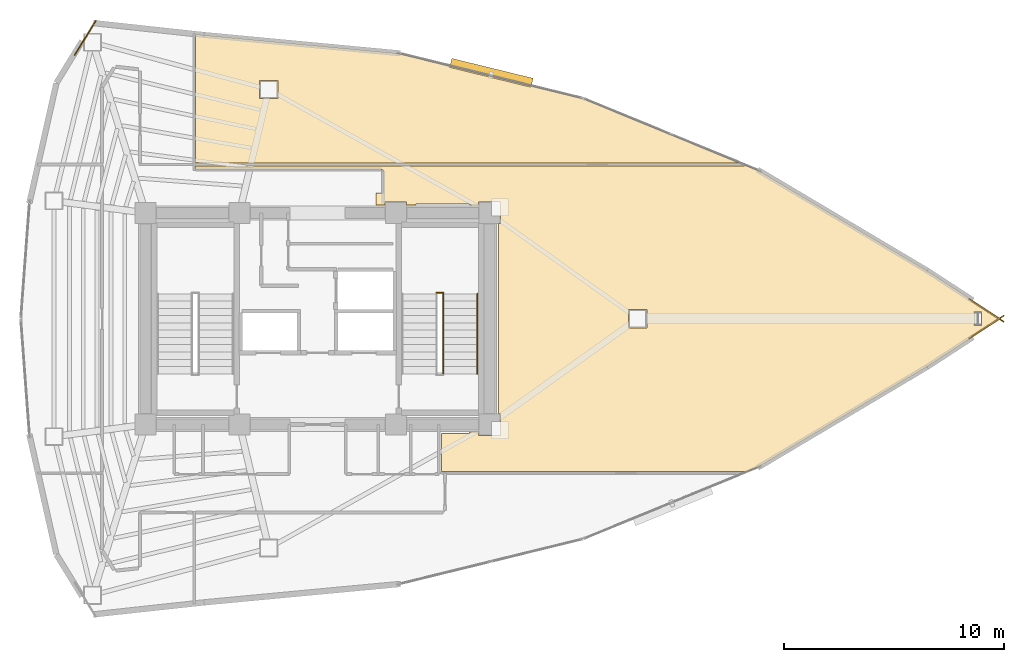
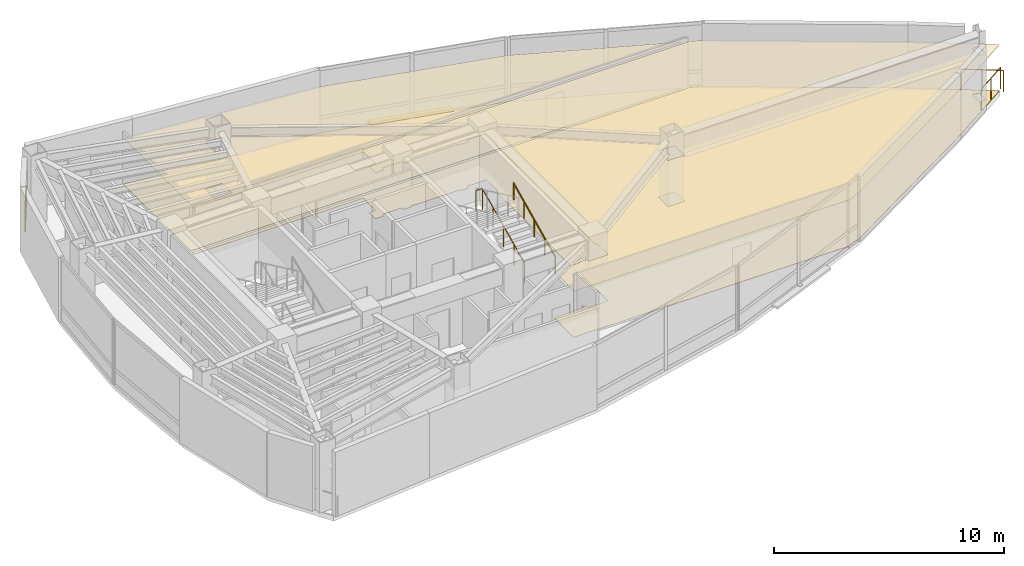
# One storey, part 17 of 17: 6 railings, 4 coverings, 1 shading device.
"""IFC4 building model written with IfcOpenShell, lengths in metres."""

import ifcopenshell
import ifcopenshell.guid

model = None  # the IFC model being written
_history = None  # IfcOwnerHistory: only IFC2X3 demands one
_inside = {}  # id of a spatial element -> (the spatial element, [elements in it])
_under = {}  # id of a project, library or spatial element -> (it, [spatial elements below it])
_declared = {}  # id of a project -> (the project, [libraries it declares])
_typed = {}  # id of a type object -> (the type object, [elements of that type])
_made_of = {}  # id of a material, layer set ... -> (it, [elements and type objects made of it])


def new_model(schema):
    """Start an empty IFC model of exactly this schema.

    Asked for "IFC4X3", IfcOpenShell would pick the latest addendum, in which some entities
    have other attributes; the version numbers below select the first issue.
    IFC2X3 requires an IfcOwnerHistory on every rooted entity: one is made here for all.
    """
    global model, _history
    if schema == "IFC4X3":
        model = ifcopenshell.file(schema_version=(4, 3, 0, 0))
    else:
        model = ifcopenshell.file(schema=schema)
    _inside.clear()
    _under.clear()
    _declared.clear()
    _typed.clear()
    _made_of.clear()
    _history = None
    if model.schema == "IFC2X3":
        org = make("IfcOrganization", Name="unknown")
        user = make(
            "IfcPersonAndOrganization",
            ThePerson=make("IfcPerson", FamilyName="unknown"),
            TheOrganization=org,
        )
        app = make(
            "IfcApplication",
            ApplicationDeveloper=org,
            Version="unknown",
            ApplicationFullName="unknown",
            ApplicationIdentifier="unknown",
        )
        _history = make(
            "IfcOwnerHistory",
            OwningUser=user,
            OwningApplication=app,
            ChangeAction="ADDED",
            CreationDate=0,
        )
    return model


def make(cls, **values):
    """One entity of the class cls with the attributes given. An attribute that is None is left unset."""
    return model.create_entity(
        cls, **{name: value for name, value in values.items() if value is not None}
    )


def rooted(cls, **values):
    """An entity with a GlobalId (a new one), such as an element, a storey or a relation."""
    return make(cls, GlobalId=ifcopenshell.guid.new(), OwnerHistory=_history, **values)


def si_unit(unit_type, name, prefix=None):
    """IfcSIUnit, for example si_unit("LENGTHUNIT", "METRE", prefix="MILLI")."""
    return make("IfcSIUnit", UnitType=unit_type, Prefix=prefix, Name=name)


def assignment(units):
    """IfcUnitAssignment: the units of a project."""
    return None if units is None else make("IfcUnitAssignment", Units=units)


def point(xyz):
    """IfcCartesianPoint."""
    return None if xyz is None else make("IfcCartesianPoint", Coordinates=xyz)


def direction(xyz):
    """IfcDirection."""
    return None if xyz is None else make("IfcDirection", DirectionRatios=xyz)


def frame(location, z_axis=None, x_axis=None):
    """IfcAxis2Placement3D, a coordinate frame: its origin and axes. An axis left out is left unset."""
    return make(
        "IfcAxis2Placement3D",
        Location=point(location),
        Axis=direction(z_axis),
        RefDirection=direction(x_axis),
    )


def frame_2d(location, x_axis=None):
    """IfcAxis2Placement2D, a coordinate frame in the plane: its origin and x axis."""
    return make(
        "IfcAxis2Placement2D", Location=point(location), RefDirection=direction(x_axis)
    )


def origin():
    """The frame at (0, 0, 0) with its axes left unset."""
    return frame((0.0, 0.0, 0.0))


def origin_2d():
    """The frame at (0, 0) in the plane with its x axis left unset."""
    return frame_2d((0.0, 0.0))


def place(relative_to, where):
    """IfcLocalPlacement: puts the frame where relative to a parent placement (None: the world)."""
    return make(
        "IfcLocalPlacement", PlacementRelTo=relative_to, RelativePlacement=where
    )


def context(
    kind, dimensions, precision=None, world=None, true_north=None, identifier=None
):
    """IfcGeometricRepresentationContext, for example the 3D "Model" context."""
    return make(
        "IfcGeometricRepresentationContext",
        ContextIdentifier=identifier,
        ContextType=kind,
        CoordinateSpaceDimension=dimensions,
        Precision=precision,
        WorldCoordinateSystem=world,
        TrueNorth=true_north,
    )


def subcontext(parent, identifier, kind, view, scale=None):
    """IfcGeometricRepresentationSubContext, for example "Body" below "Model"."""
    return make(
        "IfcGeometricRepresentationSubContext",
        ContextIdentifier=identifier,
        ContextType=kind,
        ParentContext=parent,
        TargetScale=scale,
        TargetView=view,
    )


def project(units=None, contexts=None):
    """IfcProject with its units and contexts."""
    return rooted(
        "IfcProject",
        Name="project",
        RepresentationContexts=contexts,
        UnitsInContext=assignment(units),
    )


def spatial(cls, under=None, at=None, **own):
    """A site, building, storey or space (cls), placed at a placement, below another one or the project."""
    s = rooted(cls, ObjectPlacement=at, **own)
    if under is not None:
        _under.setdefault(under.id(), (under, []))[1].append(s)
    return s


def polyline(points):
    """IfcPolyline through the points."""
    return make("IfcPolyline", Points=[point(p) for p in points])


def profile(cls, at=None, kind="AREA", **sizes):
    """A parametric profile (cls). Its sizes go by their IFC names, for example OverallWidth=200.0."""
    return make(cls, ProfileType=kind, Position=at, **sizes)


def rectangle(**sizes):
    """IfcRectangleProfileDef."""
    return profile("IfcRectangleProfileDef", **sizes)


def circle(**sizes):
    """IfcCircleProfileDef."""
    return profile("IfcCircleProfileDef", **sizes)


def outline(outer, holes=None, kind="AREA"):
    """IfcArbitraryClosedProfileDef: a profile drawn as a closed curve; with holes, ...WithVoids."""
    if holes is None:
        return make("IfcArbitraryClosedProfileDef", ProfileType=kind, OuterCurve=outer)
    return make(
        "IfcArbitraryProfileDefWithVoids",
        ProfileType=kind,
        OuterCurve=outer,
        InnerCurves=holes,
    )


def extrude(swept, where, along, depth):
    """IfcExtrudedAreaSolid: the profile swept, set in the frame where, extruded along a direction by depth."""
    return make(
        "IfcExtrudedAreaSolid",
        SweptArea=swept,
        Position=where,
        ExtrudedDirection=direction(along),
        Depth=depth,
    )


def shape(context_of_items, identifier, shape_type, items):
    """IfcShapeRepresentation: the items that make up one representation, for example the "Body"."""
    return make(
        "IfcShapeRepresentation",
        ContextOfItems=context_of_items,
        RepresentationIdentifier=identifier,
        RepresentationType=shape_type,
        Items=items,
    )


def material(Name=None, Category=None):
    """IfcMaterial."""
    return make("IfcMaterial", Name=Name, Category=Category)


def layer(
    of_material, thickness, ventilated=None, Name=None, Category=None, Priority=None
):
    """IfcMaterialLayer: one layer of a wall or slab, of a material (None: an air gap)."""
    return make(
        "IfcMaterialLayer",
        Material=of_material,
        LayerThickness=thickness,
        IsVentilated=ventilated,
        Name=Name,
        Category=Category,
        Priority=Priority,
    )


def layer_set(layers, Name=None):
    """IfcMaterialLayerSet."""
    return make("IfcMaterialLayerSet", MaterialLayers=layers, LayerSetName=Name)


def made_of(thing, what):
    """Note that an element or type object is made of a material, layer set ...; save() writes the relation."""
    if what is not None:
        _made_of.setdefault(what.id(), (what, []))[1].append(thing)
    return thing


def type_object(cls, material=None, **own):
    """A type object (cls), such as IfcWallType, which elements share."""
    return made_of(rooted(cls, **own), material)


def element(
    cls,
    number,
    at=None,
    inside=None,
    cuts=None,
    type_object=None,
    material=None,
    context=None,
    identifier="Body",
    shape_type=None,
    held_by="IfcProductDefinitionShape",
    body=None,
    shapes=None,
    **own,
):
    """One element of the class cls, such as IfcWall. Its Tag is "e" and its number.

    at: its placement. inside: the storey or other place that contains it. cuts: it is an
    opening in that element (IfcRelVoidsElement). A single representation is given by context,
    identifier, shape_type and body (its items); several are given by shapes. held_by: the class
    of the entity that holds the representations. save() writes the other relations.
    """
    e = rooted(cls, Tag="e%d" % number, ObjectPlacement=at, **own)
    if body is not None:
        shapes = [shape(context, identifier, shape_type, body)]
    if shapes is not None:
        e.Representation = make(held_by, Representations=shapes)
    if inside is not None:
        _inside.setdefault(inside.id(), (inside, []))[1].append(e)
    if cuts is not None:
        rooted(
            "IfcRelVoidsElement", RelatingBuildingElement=cuts, RelatedOpeningElement=e
        )
    if type_object is not None:
        _typed.setdefault(type_object.id(), (type_object, []))[1].append(e)
    return made_of(e, material)


def aggregate(whole, parts):
    """IfcRelAggregates: a whole, such as a stair, and the parts it consists of."""
    return rooted("IfcRelAggregates", RelatingObject=whole, RelatedObjects=parts)


def save(model, path):
    """Write the relations noted so far, then the file.

    IfcRelAggregates (storeys below a building ...), IfcRelContainedInSpatialStructure (elements
    in a storey), IfcRelDefinesByType, IfcRelAssociatesMaterial and IfcRelDeclares: one each for
    every whole, place, type object, material and project.
    """
    for whole, parts in _under.values():
        aggregate(whole, parts)
    for where, things in _inside.values():
        rooted(
            "IfcRelContainedInSpatialStructure",
            RelatedElements=things,
            RelatingStructure=where,
        )
    for kind, things in _typed.values():
        rooted("IfcRelDefinesByType", RelatedObjects=things, RelatingType=kind)
    for what, things in _made_of.values():
        rooted("IfcRelAssociatesMaterial", RelatedObjects=things, RelatingMaterial=what)
    for by, libraries in _declared.values():
        rooted("IfcRelDeclares", RelatingContext=by, RelatedDefinitions=libraries)
    model.write(path)


model = new_model("IFC4")

# Units and contexts
model_context = context("Model", 3, precision=1e-05, world=origin(), true_north=direction((0.0, 1.0)))
body_context = subcontext(model_context, "Body", "Model", "MODEL_VIEW")
ifc_project = project(units=[si_unit("LENGTHUNIT", "METRE"), si_unit("AREAUNIT", "SQUARE_METRE"), si_unit("VOLUMEUNIT", "CUBIC_METRE"), si_unit("PLANEANGLEUNIT", "RADIAN"), si_unit("MASSUNIT", "GRAM", prefix="KILO")], contexts=[model_context])

# Site, building, storey
site_placement = place(None, origin())
site = spatial("IfcSite", under=ifc_project, at=site_placement, CompositionType="ELEMENT")
building_placement = place(site_placement, origin())
building = spatial("IfcBuilding", under=site, at=building_placement, Name="Menara Vayukalpa", CompositionType="ELEMENT")
storey_placement = place(building_placement, frame((0.0, 0.0, 234.419921875)))
storey = spatial("IfcBuildingStorey", under=building, at=storey_placement, Name="L59", CompositionType="ELEMENT", Elevation=234.419921875)

# Coverings
ifc_material_1 = material(Name="Mineral Fibre Acoustic Ceiling Tile", Category="masonry")
ifc_layer_1 = layer(ifc_material_1, 0.02490234375)
ifc_layer_set_1 = layer_set([ifc_layer_1], Name="Mineral Fibre Acoustic Ceiling Tile")
covering_type_1 = type_object("IfcCoveringType", Name="COV-CLG1", PredefinedType="CEILING", material=ifc_layer_set_1)
covering_1_placement = place(storey_placement, frame((0.0, 0.0, 2.4501953125)))
element("IfcCovering", 1, at=covering_1_placement, inside=storey, type_object=covering_type_1, Name="L59 Departmental Archive Room Acoustic Ceiling", PredefinedType="CEILING", context=body_context, shape_type="SweptSolid", body=[
    extrude(outline(polyline([(33.81005859375, 26.31005859375), (33.889892578125, 26.31005859375), (33.889892578125, 27.2900390625), (32.909912109375, 27.2900390625), (32.909912109375, 27.14990234375), (32.489990234375, 27.14990234375), (32.489990234375, 27.2099609375), (30.06005859375, 27.2099609375), (30.06005859375, 27.14990234375), (29.639892578125, 27.14990234375), (29.639892578125, 27.2900390625), (28.659912109375, 27.2900390625), (28.659912109375, 27.14990234375), (28.239990234375, 27.14990234375), (28.239990234375, 27.7099609375), (28.570068359375, 27.7099609375), (28.570068359375, 28.69970703125), (28.569580078125, 28.706787109375), (28.568603515625, 28.713623046875), (28.56689453125, 28.72021484375), (28.564697265625, 28.726806640625), (28.561767578125, 28.73291015625), (28.55810546875, 28.73876953125), (28.553955078125, 28.744384765625), (28.549560546875, 28.74951171875), (28.54443359375, 28.75390625), (28.538818359375, 28.75830078125), (28.532958984375, 28.76171875), (28.52685546875, 28.7646484375), (28.520263671875, 28.76708984375), (28.513671875, 28.768798828125), (28.5068359375, 28.76953125), (28.499755859375, 28.77001953125), (20.070068359375, 28.77001953125), (20.069091796875, 28.77001953125), (20.068115234375, 28.770263671875), (20.067138671875, 28.7705078125), (20.066162109375, 28.770751953125), (20.065185546875, 28.771240234375), (20.064453125, 28.771728515625), (20.063720703125, 28.772216796875), (20.06298828125, 28.77294921875), (20.062255859375, 28.773681640625), (20.061767578125, 28.7744140625), (20.061279296875, 28.775390625), (20.060791015625, 28.776123046875), (20.060302734375, 28.777099609375), (20.060302734375, 28.778076171875), (20.06005859375, 28.779052734375), (20.06005859375, 28.780029296875), (20.06005859375, 28.929931640625), (20.06005859375, 28.930908203125), (20.060302734375, 28.931884765625), (20.060302734375, 28.932861328125), (20.060791015625, 28.933837890625), (20.061279296875, 28.934814453125), (20.061767578125, 28.935546875), (20.062255859375, 28.936279296875), (20.06298828125, 28.93701171875), (20.063720703125, 28.937744140625), (20.064453125, 28.938232421875), (20.065185546875, 28.938720703125), (20.066162109375, 28.939208984375), (20.067138671875, 28.939697265625), (20.068115234375, 28.939697265625), (20.069091796875, 28.93994140625), (20.070068359375, 28.93994140625), (44.96435546875, 28.93994140625), (44.97021484375, 28.940185546875), (44.97607421875, 28.941162109375), (44.98193359375, 28.942626953125), (44.9873046875, 28.944580078125), (44.992919921875, 28.947021484375), (44.997802734375, 28.9501953125), (45.00244140625, 28.95361328125), (45.004638671875, 28.95556640625), (45.00537109375, 28.956298828125), (45.006103515625, 28.956787109375), (45.007080078125, 28.957275390625), (45.0078125, 28.95751953125), (45.0087890625, 28.9580078125), (45.009765625, 28.9580078125), (45.0107421875, 28.958251953125), (45.01171875, 28.958251953125), (45.0126953125, 28.958251953125), (45.013427734375, 28.9580078125), (45.014404296875, 28.9580078125), (45.015380859375, 28.95751953125), (45.655029296875, 28.694580078125), (45.656494140625, 28.694091796875), (53.258056640625, 24.175537109375), (53.25830078125, 24.17529296875), (56.583740234375, 22.00830078125), (56.58447265625, 22.0078125), (56.585205078125, 22.007080078125), (56.5859375, 22.00634765625), (56.58642578125, 22.005615234375), (56.5869140625, 22.0048828125), (56.58740234375, 22.00390625), (56.587890625, 22.0029296875), (56.587890625, 22.001953125), (56.588134765625, 22.0009765625), (56.588134765625, 22.0), (56.588134765625, 21.9990234375), (56.587890625, 21.998046875), (56.587890625, 21.9970703125), (56.58740234375, 21.99609375), (56.5869140625, 21.9951171875), (56.58642578125, 21.994384765625), (56.5859375, 21.99365234375), (56.585205078125, 21.992919921875), (56.58447265625, 21.9921875), (56.583740234375, 21.99169921875), (53.25830078125, 19.82470703125), (53.258056640625, 19.824462890625), (45.656494140625, 15.305908203125), (45.655029296875, 15.305419921875), (45.015380859375, 15.04248046875), (45.014404296875, 15.0419921875), (45.013427734375, 15.0419921875), (45.0126953125, 15.041748046875), (45.01171875, 15.041748046875), (45.0107421875, 15.041748046875), (45.009765625, 15.0419921875), (45.0087890625, 15.0419921875), (45.0078125, 15.04248046875), (45.007080078125, 15.042724609375), (45.006103515625, 15.043212890625), (45.00537109375, 15.043701171875), (45.004638671875, 15.04443359375), (45.00244140625, 15.04638671875), (44.997802734375, 15.0498046875), (44.992919921875, 15.052978515625), (44.9873046875, 15.055419921875), (44.98193359375, 15.057373046875), (44.97607421875, 15.058837890625), (44.97021484375, 15.059814453125), (44.96435546875, 15.06005859375), (31.219970703125, 15.06005859375), (31.218994140625, 15.06005859375), (31.218017578125, 15.060302734375), (31.217041015625, 15.060302734375), (31.21630859375, 15.060791015625), (31.21533203125, 15.061279296875), (31.21435546875, 15.061767578125), (31.213623046875, 15.062255859375), (31.212890625, 15.06298828125), (31.21240234375, 15.063720703125), (31.211669921875, 15.064453125), (31.211181640625, 15.065185546875), (31.210693359375, 15.066162109375), (31.21044921875, 15.067138671875), (31.210205078125, 15.068115234375), (31.2099609375, 15.069091796875), (31.2099609375, 15.070068359375), (31.2099609375, 16.780029296875), (31.2099609375, 16.781005859375), (31.210205078125, 16.781982421875), (31.21044921875, 16.782958984375), (31.210693359375, 16.78369140625), (31.211181640625, 16.78466796875), (31.211669921875, 16.78564453125), (31.21240234375, 16.786376953125), (31.212890625, 16.787109375), (31.213623046875, 16.78759765625), (31.21435546875, 16.788330078125), (31.21533203125, 16.788818359375), (31.21630859375, 16.789306640625), (31.217041015625, 16.78955078125), (31.218017578125, 16.789794921875), (31.218994140625, 16.7900390625), (31.219970703125, 16.7900390625), (32.489990234375, 16.7900390625), (32.489990234375, 16.85009765625), (32.909912109375, 16.85009765625), (32.909912109375, 16.7099609375), (33.889892578125, 16.7099609375), (33.889892578125, 17.68994140625), (33.81005859375, 17.68994140625), (33.81005859375, 26.31005859375)]), holes=[polyline([(40.536865234375, 22.4150390625), (39.706787109375, 22.4150390625), (39.706787109375, 21.5849609375), (40.536865234375, 21.5849609375), (40.536865234375, 22.4150390625)]), polyline([(55.729736328125, 22.30908203125), (55.39990234375, 22.30908203125), (55.39990234375, 21.69091796875), (55.729736328125, 21.69091796875), (55.729736328125, 22.30908203125)])]), origin(), (0.0, 0.0, 1.0), 0.02490234375),
])
covering_2_placement = place(storey_placement, frame((0.0, 0.0, 2.4501953125)))
element("IfcCovering", 2, at=covering_2_placement, inside=storey, type_object=covering_type_1, Name="L59 Departmental Archive Room Acoustic Ceiling", PredefinedType="CEILING", context=body_context, shape_type="SweptSolid", body=[
    extrude(outline(polyline([(29.248291015625, 34.0400390625), (29.249755859375, 34.039794921875), (37.652099609375, 31.982666015625), (37.65283203125, 31.982421875), (37.653564453125, 31.982177734375), (44.718994140625, 29.0791015625), (44.719970703125, 29.078857421875), (44.720703125, 29.078369140625), (44.721435546875, 29.07763671875), (44.722412109375, 29.0771484375), (44.722900390625, 29.076416015625), (44.723388671875, 29.07568359375), (44.72412109375, 29.07470703125), (44.724365234375, 29.07373046875), (44.724853515625, 29.072998046875), (44.72509765625, 29.072021484375), (44.72509765625, 29.071044921875), (44.72509765625, 29.070068359375), (44.72509765625, 29.069091796875), (44.72509765625, 29.068115234375), (44.724853515625, 29.067138671875), (44.724365234375, 29.066162109375), (44.72412109375, 29.065185546875), (44.723388671875, 29.064453125), (44.722900390625, 29.063720703125), (44.722412109375, 29.06298828125), (44.721435546875, 29.062255859375), (44.720703125, 29.061767578125), (44.719970703125, 29.061279296875), (44.718994140625, 29.060791015625), (44.718017578125, 29.060302734375), (44.71728515625, 29.060302734375), (44.71630859375, 29.06005859375), (44.715087890625, 29.06005859375), (20.070068359375, 29.06005859375), (20.069091796875, 29.06005859375), (20.068115234375, 29.060302734375), (20.067138671875, 29.060302734375), (20.066162109375, 29.060791015625), (20.065185546875, 29.061279296875), (20.064453125, 29.061767578125), (20.063720703125, 29.062255859375), (20.06298828125, 29.06298828125), (20.062255859375, 29.063720703125), (20.061767578125, 29.064453125), (20.061279296875, 29.065185546875), (20.060791015625, 29.066162109375), (20.060302734375, 29.067138671875), (20.060302734375, 29.068115234375), (20.06005859375, 29.069091796875), (20.06005859375, 29.070068359375), (20.06005859375, 34.897705078125), (20.06005859375, 34.898681640625), (20.060302734375, 34.89990234375), (20.060302734375, 34.900634765625), (20.060791015625, 34.901611328125), (20.061279296875, 34.902587890625), (20.061767578125, 34.9033203125), (20.062255859375, 34.904296875), (20.06298828125, 34.90478515625), (20.063720703125, 34.905517578125), (20.064453125, 34.906005859375), (20.065185546875, 34.90673828125), (20.066162109375, 34.906982421875), (20.067138671875, 34.907470703125), (20.068115234375, 34.90771484375), (20.069091796875, 34.90771484375), (20.070068359375, 34.90771484375), (20.071044921875, 34.90771484375), (20.443115234375, 34.8671875), (20.443603515625, 34.8671875), (29.248291015625, 34.0400390625)]), holes=[polyline([(23.796875, 32.81982421875), (22.966796875, 32.81982421875), (22.966796875, 31.98974609375), (23.796875, 31.98974609375), (23.796875, 32.81982421875)])]), origin(), (0.0, 0.0, 1.0), 0.02490234375),
])
ifc_material_2 = material(Name="Porcelain Stoneware Floor Tile", Category="masonry")
ifc_layer_2 = layer(ifc_material_2, 0.02001953125)
ifc_layer_set_2 = layer_set([ifc_layer_2], Name="Porcelain Stoneware Floor Tile")
covering_type_2 = type_object("IfcCoveringType", Name="COV-FLR1", PredefinedType="FLOORING", material=ifc_layer_set_2)
covering_3_placement = place(storey_placement, origin())
element("IfcCovering", 3, at=covering_3_placement, inside=storey, type_object=covering_type_2, Name="L59 Departmental Archive Room Porcelain Flooring", PredefinedType="FLOORING", context=body_context, shape_type="SweptSolid", body=[
    extrude(outline(polyline([(33.81005859375, 26.31005859375), (33.889892578125, 26.31005859375), (33.889892578125, 27.2900390625), (32.909912109375, 27.2900390625), (32.909912109375, 27.14990234375), (32.489990234375, 27.14990234375), (32.489990234375, 27.2099609375), (30.06005859375, 27.2099609375), (30.06005859375, 27.14990234375), (29.639892578125, 27.14990234375), (29.639892578125, 27.2900390625), (28.659912109375, 27.2900390625), (28.659912109375, 27.14990234375), (28.239990234375, 27.14990234375), (28.239990234375, 27.7099609375), (28.570068359375, 27.7099609375), (28.570068359375, 28.69970703125), (28.569580078125, 28.706787109375), (28.568603515625, 28.713623046875), (28.56689453125, 28.72021484375), (28.564697265625, 28.726806640625), (28.561767578125, 28.73291015625), (28.55810546875, 28.73876953125), (28.553955078125, 28.744384765625), (28.549560546875, 28.74951171875), (28.54443359375, 28.75390625), (28.538818359375, 28.75830078125), (28.532958984375, 28.76171875), (28.52685546875, 28.7646484375), (28.520263671875, 28.76708984375), (28.513671875, 28.768798828125), (28.5068359375, 28.76953125), (28.499755859375, 28.77001953125), (20.070068359375, 28.77001953125), (20.069091796875, 28.77001953125), (20.068115234375, 28.770263671875), (20.067138671875, 28.7705078125), (20.066162109375, 28.770751953125), (20.065185546875, 28.771240234375), (20.064453125, 28.771728515625), (20.063720703125, 28.772216796875), (20.06298828125, 28.77294921875), (20.062255859375, 28.773681640625), (20.061767578125, 28.7744140625), (20.061279296875, 28.775390625), (20.060791015625, 28.776123046875), (20.060302734375, 28.777099609375), (20.060302734375, 28.778076171875), (20.06005859375, 28.779052734375), (20.06005859375, 28.780029296875), (20.06005859375, 28.929931640625), (20.06005859375, 28.930908203125), (20.060302734375, 28.931884765625), (20.060302734375, 28.932861328125), (20.060791015625, 28.933837890625), (20.061279296875, 28.934814453125), (20.061767578125, 28.935546875), (20.062255859375, 28.936279296875), (20.06298828125, 28.93701171875), (20.063720703125, 28.937744140625), (20.064453125, 28.938232421875), (20.065185546875, 28.938720703125), (20.066162109375, 28.939208984375), (20.067138671875, 28.939697265625), (20.068115234375, 28.939697265625), (20.069091796875, 28.93994140625), (20.070068359375, 28.93994140625), (44.96435546875, 28.93994140625), (44.97021484375, 28.940185546875), (44.97607421875, 28.941162109375), (44.98193359375, 28.942626953125), (44.9873046875, 28.944580078125), (44.992919921875, 28.947021484375), (44.997802734375, 28.9501953125), (45.00244140625, 28.95361328125), (45.004638671875, 28.95556640625), (45.00537109375, 28.956298828125), (45.006103515625, 28.956787109375), (45.007080078125, 28.957275390625), (45.0078125, 28.95751953125), (45.0087890625, 28.9580078125), (45.009765625, 28.9580078125), (45.0107421875, 28.958251953125), (45.01171875, 28.958251953125), (45.0126953125, 28.958251953125), (45.013427734375, 28.9580078125), (45.014404296875, 28.9580078125), (45.015380859375, 28.95751953125), (45.655029296875, 28.694580078125), (45.656494140625, 28.694091796875), (53.258056640625, 24.175537109375), (53.25830078125, 24.17529296875), (56.583740234375, 22.00830078125), (56.58447265625, 22.0078125), (56.585205078125, 22.007080078125), (56.5859375, 22.00634765625), (56.58642578125, 22.005615234375), (56.5869140625, 22.0048828125), (56.58740234375, 22.00390625), (56.587890625, 22.0029296875), (56.587890625, 22.001953125), (56.588134765625, 22.0009765625), (56.588134765625, 22.0), (56.588134765625, 21.9990234375), (56.587890625, 21.998046875), (56.587890625, 21.9970703125), (56.58740234375, 21.99609375), (56.5869140625, 21.9951171875), (56.58642578125, 21.994384765625), (56.5859375, 21.99365234375), (56.585205078125, 21.992919921875), (56.58447265625, 21.9921875), (56.583740234375, 21.99169921875), (53.25830078125, 19.82470703125), (53.258056640625, 19.824462890625), (45.656494140625, 15.305908203125), (45.655029296875, 15.305419921875), (45.015380859375, 15.04248046875), (45.014404296875, 15.0419921875), (45.013427734375, 15.0419921875), (45.0126953125, 15.041748046875), (45.01171875, 15.041748046875), (45.0107421875, 15.041748046875), (45.009765625, 15.0419921875), (45.0087890625, 15.0419921875), (45.0078125, 15.04248046875), (45.007080078125, 15.042724609375), (45.006103515625, 15.043212890625), (45.00537109375, 15.043701171875), (45.004638671875, 15.04443359375), (45.00244140625, 15.04638671875), (44.997802734375, 15.0498046875), (44.992919921875, 15.052978515625), (44.9873046875, 15.055419921875), (44.98193359375, 15.057373046875), (44.97607421875, 15.058837890625), (44.97021484375, 15.059814453125), (44.96435546875, 15.06005859375), (31.219970703125, 15.06005859375), (31.218994140625, 15.06005859375), (31.218017578125, 15.060302734375), (31.217041015625, 15.060302734375), (31.21630859375, 15.060791015625), (31.21533203125, 15.061279296875), (31.21435546875, 15.061767578125), (31.213623046875, 15.062255859375), (31.212890625, 15.06298828125), (31.21240234375, 15.063720703125), (31.211669921875, 15.064453125), (31.211181640625, 15.065185546875), (31.210693359375, 15.066162109375), (31.21044921875, 15.067138671875), (31.210205078125, 15.068115234375), (31.2099609375, 15.069091796875), (31.2099609375, 15.070068359375), (31.2099609375, 16.780029296875), (31.2099609375, 16.781005859375), (31.210205078125, 16.781982421875), (31.21044921875, 16.782958984375), (31.210693359375, 16.78369140625), (31.211181640625, 16.78466796875), (31.211669921875, 16.78564453125), (31.21240234375, 16.786376953125), (31.212890625, 16.787109375), (31.213623046875, 16.78759765625), (31.21435546875, 16.788330078125), (31.21533203125, 16.788818359375), (31.21630859375, 16.789306640625), (31.217041015625, 16.78955078125), (31.218017578125, 16.789794921875), (31.218994140625, 16.7900390625), (31.219970703125, 16.7900390625), (32.489990234375, 16.7900390625), (32.489990234375, 16.85009765625), (32.909912109375, 16.85009765625), (32.909912109375, 16.7099609375), (33.889892578125, 16.7099609375), (33.889892578125, 17.68994140625), (33.81005859375, 17.68994140625), (33.81005859375, 26.31005859375)]), holes=[polyline([(40.536865234375, 22.4150390625), (39.706787109375, 22.4150390625), (39.706787109375, 21.5849609375), (40.536865234375, 21.5849609375), (40.536865234375, 22.4150390625)]), polyline([(55.729736328125, 22.30908203125), (55.39990234375, 22.30908203125), (55.39990234375, 21.69091796875), (55.729736328125, 21.69091796875), (55.729736328125, 22.30908203125)])]), origin(), (0.0, 0.0, 1.0), 0.02001953125),
])
covering_4_placement = place(storey_placement, origin())
element("IfcCovering", 4, at=covering_4_placement, inside=storey, type_object=covering_type_2, Name="L59 Departmental Archive Room Porcelain Flooring", PredefinedType="FLOORING", context=body_context, shape_type="SweptSolid", body=[
    extrude(outline(polyline([(29.248291015625, 34.0400390625), (29.249755859375, 34.039794921875), (37.652099609375, 31.982666015625), (37.65283203125, 31.982421875), (37.653564453125, 31.982177734375), (44.718994140625, 29.0791015625), (44.719970703125, 29.078857421875), (44.720703125, 29.078369140625), (44.721435546875, 29.07763671875), (44.722412109375, 29.0771484375), (44.722900390625, 29.076416015625), (44.723388671875, 29.07568359375), (44.72412109375, 29.07470703125), (44.724365234375, 29.07373046875), (44.724853515625, 29.072998046875), (44.72509765625, 29.072021484375), (44.72509765625, 29.071044921875), (44.72509765625, 29.070068359375), (44.72509765625, 29.069091796875), (44.72509765625, 29.068115234375), (44.724853515625, 29.067138671875), (44.724365234375, 29.066162109375), (44.72412109375, 29.065185546875), (44.723388671875, 29.064453125), (44.722900390625, 29.063720703125), (44.722412109375, 29.06298828125), (44.721435546875, 29.062255859375), (44.720703125, 29.061767578125), (44.719970703125, 29.061279296875), (44.718994140625, 29.060791015625), (44.718017578125, 29.060302734375), (44.71728515625, 29.060302734375), (44.71630859375, 29.06005859375), (44.715087890625, 29.06005859375), (20.070068359375, 29.06005859375), (20.069091796875, 29.06005859375), (20.068115234375, 29.060302734375), (20.067138671875, 29.060302734375), (20.066162109375, 29.060791015625), (20.065185546875, 29.061279296875), (20.064453125, 29.061767578125), (20.063720703125, 29.062255859375), (20.06298828125, 29.06298828125), (20.062255859375, 29.063720703125), (20.061767578125, 29.064453125), (20.061279296875, 29.065185546875), (20.060791015625, 29.066162109375), (20.060302734375, 29.067138671875), (20.060302734375, 29.068115234375), (20.06005859375, 29.069091796875), (20.06005859375, 29.070068359375), (20.06005859375, 34.897705078125), (20.06005859375, 34.898681640625), (20.060302734375, 34.89990234375), (20.060302734375, 34.900634765625), (20.060791015625, 34.901611328125), (20.061279296875, 34.902587890625), (20.061767578125, 34.9033203125), (20.062255859375, 34.904296875), (20.06298828125, 34.90478515625), (20.063720703125, 34.905517578125), (20.064453125, 34.906005859375), (20.065185546875, 34.90673828125), (20.066162109375, 34.906982421875), (20.067138671875, 34.907470703125), (20.068115234375, 34.90771484375), (20.069091796875, 34.90771484375), (20.070068359375, 34.90771484375), (20.071044921875, 34.90771484375), (20.443115234375, 34.8671875), (20.443603515625, 34.8671875), (29.248291015625, 34.0400390625)]), holes=[polyline([(23.796875, 32.81982421875), (22.966796875, 32.81982421875), (22.966796875, 31.98974609375), (23.796875, 31.98974609375), (23.796875, 32.81982421875)])]), origin(), (0.0, 0.0, 1.0), 0.02001953125),
])

# Railings
ifc_material_3 = material(Name="Laminated Glass and Stainless Steel 316 Guardrail", Category="steel")
railing_type_1 = type_object("IfcRailingType", Name="RLG-EXT115", PredefinedType="GUARDRAIL", material=ifc_material_3)
railing_1_placement = place(storey_placement, frame((55.16845703125, 21.1171875, 0.0)))
element("IfcRailing", 5, at=railing_1_placement, inside=storey, type_object=railing_type_1, Name="L59 Column Corner Spandrel Guardrail 01-1", PredefinedType="GUARDRAIL", context=body_context, shape_type="SweptSolid", body=[
    extrude(circle(Radius=0.02392578125, at=origin_2d()), frame((0.0, 0.0, 1.1259765625), z_axis=(0.837859407663, 0.545886080598, 0.0), x_axis=(-0.545886080598, 0.837859407663, 0.0)), (0.0, 0.0, 1.0), 1.853759765625),
    extrude(circle(Radius=0.02099609375, at=origin_2d()), origin(), (0.0, 0.0, 1.0), 1.101806640625),
    extrude(circle(Radius=0.02099609375, at=origin_2d()), frame((0.776611328125, 0.505859375, 0.0)), (0.0, 0.0, 1.0), 1.101806640625),
    extrude(circle(Radius=0.02099609375, at=origin_2d()), frame((1.55322265625, 1.011962890625, 0.0)), (0.0, 0.0, 1.0), 1.101806640625),
])
railing_2_placement = place(storey_placement, frame((56.7216796875, 21.870849609375, 0.0)))
element("IfcRailing", 6, at=railing_2_placement, inside=storey, type_object=railing_type_1, Name="L59 Column Corner Spandrel Guardrail 02-1", PredefinedType="GUARDRAIL", context=body_context, shape_type="SweptSolid", body=[
    extrude(circle(Radius=0.02392578125, at=origin_2d()), frame((0.0, 0.0, 1.1259765625), z_axis=(-0.837859407663, 0.545886080598, 0.0), x_axis=(-0.545886080598, -0.837859407663, 0.0)), (0.0, 0.0, 1.0), 1.853759765625),
    extrude(circle(Radius=0.02099609375, at=origin_2d()), origin(), (0.0, 0.0, 1.0), 1.101806640625),
    extrude(circle(Radius=0.02099609375, at=origin_2d()), frame((-0.776611328125, 0.505859375, 0.0)), (0.0, 0.0, 1.0), 1.101806640625),
    extrude(circle(Radius=0.02099609375, at=origin_2d()), frame((-1.55322265625, 1.011962890625, 0.0)), (0.0, 0.0, 1.0), 1.101806640625),
])
railing_3_placement = place(storey_placement, frame((15.5439453125, 35.533447265625, 0.0)))
element("IfcRailing", 7, at=railing_3_placement, inside=storey, type_object=railing_type_1, Name="L59 Column Corner Spandrel Guardrail 08-1", PredefinedType="GUARDRAIL", context=body_context, shape_type="SweptSolid", body=[
    extrude(circle(Radius=0.02392578125, at=origin_2d()), frame((0.0, 0.0, 1.1259765625), z_axis=(-0.523173618921, -0.852226122848, 0.0), x_axis=(0.852226122848, -0.523173618921, 0.0)), (0.0, 0.0, 1.0), 1.84375),
    extrude(circle(Radius=0.02099609375, at=origin_2d()), origin(), (0.0, 0.0, 1.0), 1.101806640625),
    extrude(circle(Radius=0.02099609375, at=origin_2d()), frame((-0.482421875, -0.78564453125, 0.0)), (0.0, 0.0, 1.0), 1.101806640625),
    extrude(circle(Radius=0.02099609375, at=origin_2d()), frame((-0.964599609375, -1.5712890625, 0.0)), (0.0, 0.0, 1.0), 1.101806640625),
])
ifc_material_4 = material(Name="Powder-Coated Galvanised Steel Guardrail", Category="steel")
railing_type_2 = type_object("IfcRailingType", Name="RLG-STG110", PredefinedType="GUARDRAIL", material=ifc_material_4)
railing_4_placement = place(storey_placement, frame((31.300048828125, 19.5, 0.155029296875)))
element("IfcRailing", 8, at=railing_4_placement, inside=storey, type_object=railing_type_2, Name="L59 ST-2 stair guard 1", PredefinedType="GUARDRAIL", context=body_context, shape_type="SweptSolid", body=[
    extrude(circle(Radius=0.02392578125, at=origin_2d()), frame((0.0, 0.0, 1.09619140625), z_axis=(0.0, 0.90511648382, 0.425163675209), x_axis=(-1.0, 0.0, 0.0)), (0.0, 0.0, 1.0), 4.010498046875),
    extrude(circle(Radius=0.02099609375, at=origin_2d()), origin(), (0.0, 0.0, 1.0), 1.072021484375),
    extrude(circle(Radius=0.02099609375, at=origin_2d()), frame((0.0, 0.907470703125, 0.42626953125)), (0.0, 0.0, 1.0), 1.072021484375),
    extrude(circle(Radius=0.02099609375, at=origin_2d()), frame((0.0, 1.81494140625, 0.8525390625)), (0.0, 0.0, 1.0), 1.072021484375),
    extrude(circle(Radius=0.02099609375, at=origin_2d()), frame((0.0, 2.722412109375, 1.27880859375)), (0.0, 0.0, 1.0), 1.072021484375),
    extrude(circle(Radius=0.02099609375, at=origin_2d()), frame((0.0, 3.6298828125, 1.705078125)), (0.0, 0.0, 1.0), 1.072021484375),
])
railing_5_placement = place(storey_placement, frame((31.31005859375, 23.179931640625, 1.860107421875)))
element("IfcRailing", 9, at=railing_5_placement, inside=storey, type_object=railing_type_2, Name="L59 ST-2 stair guard 2", PredefinedType="GUARDRAIL", context=body_context, shape_type="SweptSolid", body=[
    extrude(circle(Radius=0.02392578125, at=origin_2d()), frame((0.0, 0.0, 1.09619140625), z_axis=(-1.0, 0.0, 0.0), x_axis=(0.0, -1.0, 0.0)), (0.0, 0.0, 1.0), 0.320068359375),
    extrude(circle(Radius=0.02099609375, at=origin_2d()), origin(), (0.0, 0.0, 1.0), 1.072021484375),
    extrude(circle(Radius=0.02099609375, at=origin_2d()), frame((-0.320068359375, 0.0, 0.0)), (0.0, 0.0, 1.0), 1.072021484375),
])
ifc_material_5 = material(Name="Stainless Steel 316 Tubular Handrail", Category="steel")
railing_type_3 = type_object("IfcRailingType", Name="RLG-STH090", PredefinedType="HANDRAIL", material=ifc_material_5)
railing_6_placement = place(storey_placement, frame((32.85009765625, 19.5, 0.155029296875)))
element("IfcRailing", 10, at=railing_6_placement, inside=storey, type_object=railing_type_3, Name="L59 ST-2 stair handrail 1", PredefinedType="HANDRAIL", context=body_context, shape_type="SweptSolid", body=[
    extrude(circle(Radius=0.02392578125, at=origin_2d()), frame((0.0, 0.0, 0.8759765625), z_axis=(0.0, 0.90511648382, 0.425163675209), x_axis=(-1.0, 0.0, 0.0)), (0.0, 0.0, 1.0), 4.010498046875),
    extrude(circle(Radius=0.02099609375, at=origin_2d()), origin(), (0.0, 0.0, 1.0), 0.851806640625),
    extrude(circle(Radius=0.02099609375, at=origin_2d()), frame((0.0, 0.907470703125, 0.42626953125)), (0.0, 0.0, 1.0), 0.851806640625),
    extrude(circle(Radius=0.02099609375, at=origin_2d()), frame((0.0, 1.81494140625, 0.8525390625)), (0.0, 0.0, 1.0), 0.851806640625),
    extrude(circle(Radius=0.02099609375, at=origin_2d()), frame((0.0, 2.722412109375, 1.27880859375)), (0.0, 0.0, 1.0), 0.851806640625),
    extrude(circle(Radius=0.02099609375, at=origin_2d()), frame((0.0, 3.6298828125, 1.705078125)), (0.0, 0.0, 1.0), 0.851806640625),
])

# Shading device
ifc_material_6 = material(Name="Glazed Terracotta Ceramic Baguette Extrusion", Category="masonry")
ifc_layer_3 = layer(ifc_material_6, 0.1201171875)
ifc_layer_set_3 = layer_set([ifc_layer_3], Name="Glazed Terracotta Ceramic Baguette Extrusion")
shading_device_type = type_object("IfcShadingDeviceType", Name="SHD-SS1", PredefinedType="USERDEFINED", material=ifc_layer_set_3)
shading_device_placement = place(storey_placement, frame((33.486572265625, 33.156982421875, -0.10009765625), z_axis=(0.0, 0.0, 1.0), x_axis=(-0.971313023754, 0.237804562373, 0.0)))
element("IfcShadingDevice", 11, at=shading_device_placement, inside=storey, type_object=shading_device_type, Name="L59 Horizontal Terracotta Sunshade Band 05", ObjectType="SUNSHADE", PredefinedType="USERDEFINED", context=body_context, shape_type="SweptSolid", body=[
    extrude(rectangle(XDim=3.800048828125, YDim=0.419921875, at=origin_2d()), origin(), (0.0, 0.0, 1.0), 0.1201171875),
])

save(model, "model.ifc")
